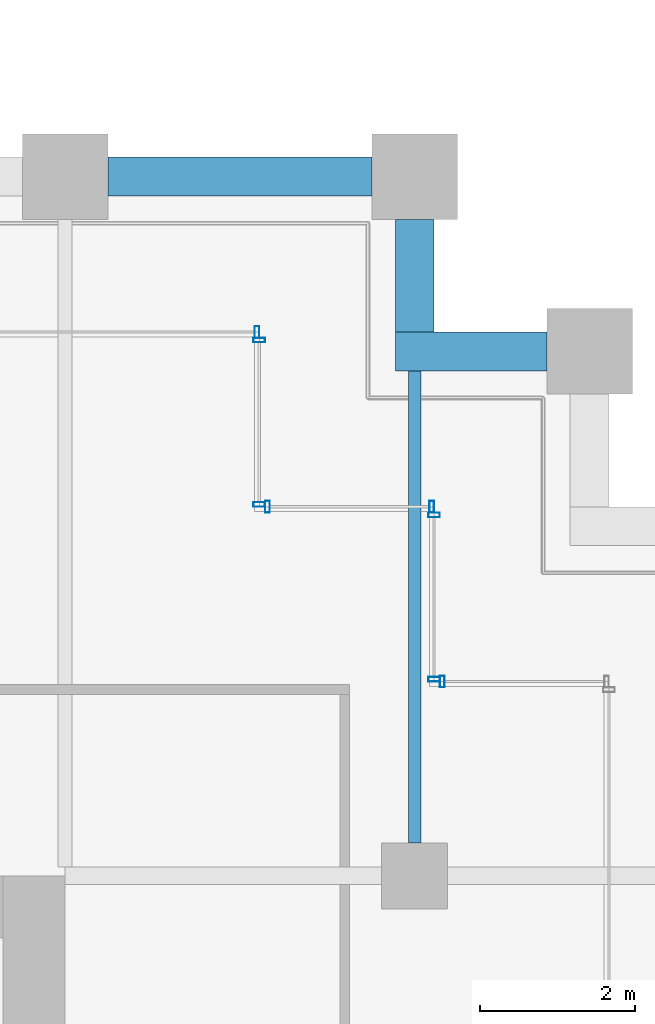
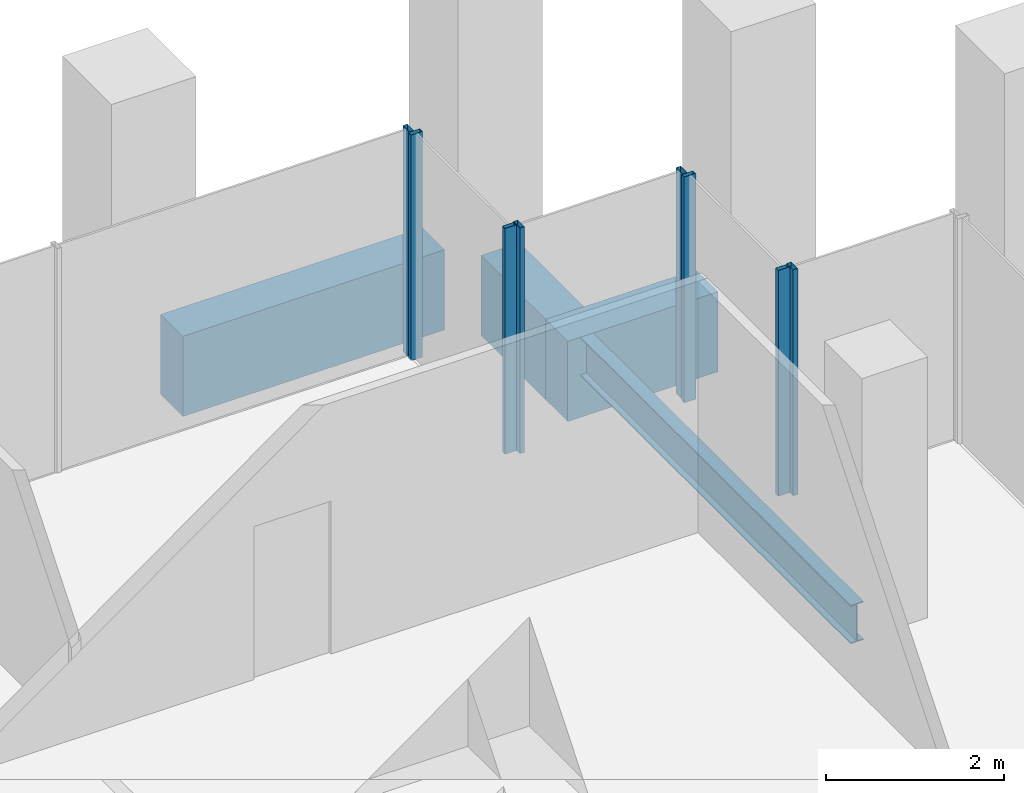
# One storey, part 45 of 56: 8 members, 4 beams, 5 elements without a shape of their own.
"""IFC4 building model written with IfcOpenShell, lengths in metres."""

from ifc_helpers import new_model, si_unit, direction, frame, origin, origin_2d, place, context, subcontext, project, spatial, rectangle, hollow_rectangle, i_section, extrude, material, material_profile, profile_set, type_object, element, aggregate, save


model = new_model("IFC4")

# Units and contexts
model_context = context("Model", 3, precision=1e-05, world=origin(), true_north=direction((0.0, 1.0)))
body_context = subcontext(model_context, "Body", "Model", "MODEL_VIEW")
ifc_project = project(units=[si_unit("LENGTHUNIT", "METRE"), si_unit("AREAUNIT", "SQUARE_METRE"), si_unit("VOLUMEUNIT", "CUBIC_METRE"), si_unit("PLANEANGLEUNIT", "RADIAN"), si_unit("MASSUNIT", "GRAM", prefix="KILO")], contexts=[model_context])

# Site, building, storey
site_placement = place(None, origin())
site = spatial("IfcSite", under=ifc_project, at=site_placement, CompositionType="ELEMENT")
building_placement = place(site_placement, origin())
building = spatial("IfcBuilding", under=site, at=building_placement, Name="Altepetl Exchange Towers", CompositionType="ELEMENT")
storey_placement = place(building_placement, frame((0.0, 0.0, 72.60009765625)))
storey = spatial("IfcBuildingStorey", under=building, at=storey_placement, Name="L17", CompositionType="ELEMENT", Elevation=72.60009765625)

# Beam
ifc_material_1 = material(Name="Steel S355", Category="steel")
ifc_material_profile_1 = material_profile(ifc_material_1, i_section(OverallWidth=0.166015625, OverallDepth=0.529052734375, WebThickness=0.009765625, FlangeThickness=0.013671875, at=origin_2d()), Name="W21X50")
ifc_profile_set_1 = profile_set([ifc_material_profile_1], Name="Steel S355")
beam_type_1 = type_object("IfcBeamType", Name="Floor beam W21X50", PredefinedType="BEAM", material=ifc_profile_set_1)
beam_1_placement = place(storey_placement, frame((121.5, 49.925048828125, -0.41455078125), z_axis=(0.0, 1.0, 0.0), x_axis=(-1.0, 0.0, 0.0)))
element("IfcBeam", 1, at=beam_1_placement, inside=storey, type_object=beam_type_1, Name="bm:B:L17:003", PredefinedType="BEAM", context=body_context, shape_type="SweptSolid", body=[
    extrude(i_section(OverallWidth=0.166015625, OverallDepth=0.529052734375, WebThickness=0.009765625, FlangeThickness=0.013671875, at=origin_2d()), origin(), (0.0, 0.0, 1.0), 6.074951171875),
])

# Curtain wall, member
ifc_material_2 = material(Name="Aluminium 6063-T6 glazing", Category="aluminium")
curtain_wall_type = type_object("IfcCurtainWallType", Name="Loggia glazing system", PredefinedType="NOTDEFINED", material=ifc_material_2)
curtain_wall_1_placement = place(storey_placement, origin())
curtain_wall_1 = element("IfcCurtainWall", 2, at=curtain_wall_1_placement, inside=storey, type_object=curtain_wall_type, Name="CW1 run", PredefinedType="NOTDEFINED")
ifc_material_3 = material(Name="Aluminium 6063-T6", Category="aluminium")
ifc_material_profile_2 = material_profile(ifc_material_3, hollow_rectangle(XDim=0.06005859375, YDim=0.14990234375, WallThickness=0.0029296875, at=origin_2d()), Name="Mullion 60x150 aluminium")
ifc_profile_set_2 = profile_set([ifc_material_profile_2], Name="Aluminium 6063-T6")
member_type = type_object("IfcMemberType", Name="Mullion 60x150 aluminium", PredefinedType="MULLION", material=ifc_profile_set_2)
member_1_placement = place(storey_placement, frame((121.85498046875, 52.0, 0.0), z_axis=(0.0, 0.0, 1.0), x_axis=(-1.0, 0.0, 0.0)))
member_1 = element("IfcMember", 3, at=member_1_placement, type_object=member_type, Name="MU1 mullion", PredefinedType="MULLION", context=body_context, shape_type="SweptSolid", body=[
    extrude(hollow_rectangle(XDim=0.06005859375, YDim=0.14990234375, WallThickness=0.0029296875, at=origin_2d()), origin(), (0.0, 0.0, 1.0), 3.099853515625),
])
aggregate(curtain_wall_1, [member_1])

# Curtain wall, members
curtain_wall_2_placement = place(storey_placement, origin())
curtain_wall_2 = element("IfcCurtainWall", 4, at=curtain_wall_2_placement, inside=storey, type_object=curtain_wall_type, Name="CW1 run", PredefinedType="NOTDEFINED")
member_2_placement = place(storey_placement, frame((121.75, 52.030029296875, 0.0), z_axis=(0.0, 0.0, 1.0), x_axis=(0.0, 1.0, 0.0)))
member_2 = element("IfcMember", 5, at=member_2_placement, type_object=member_type, Name="MU1 mullion", PredefinedType="MULLION", context=body_context, shape_type="SweptSolid", body=[
    extrude(hollow_rectangle(XDim=0.06005859375, YDim=0.14990234375, WallThickness=0.0029296875, at=origin_2d()), origin(), (0.0, 0.0, 1.0), 3.099853515625),
])
member_3_placement = place(storey_placement, frame((121.75, 54.14501953125, 0.0), z_axis=(0.0, 0.0, 1.0), x_axis=(0.0, 1.0, 0.0)))
member_3 = element("IfcMember", 6, at=member_3_placement, type_object=member_type, Name="MU1 mullion", PredefinedType="MULLION", context=body_context, shape_type="SweptSolid", body=[
    extrude(hollow_rectangle(XDim=0.06005859375, YDim=0.14990234375, WallThickness=0.0029296875, at=origin_2d()), origin(), (0.0, 0.0, 1.0), 3.099853515625),
])
aggregate(curtain_wall_2, [member_2, member_3])

curtain_wall_3_placement = place(storey_placement, origin())
curtain_wall_3 = element("IfcCurtainWall", 7, at=curtain_wall_3_placement, inside=storey, type_object=curtain_wall_type, Name="CW1 run", PredefinedType="NOTDEFINED")
member_4_placement = place(storey_placement, frame((121.719970703125, 54.25, 0.0), z_axis=(0.0, 0.0, 1.0), x_axis=(-1.0, 0.0, 0.0)))
member_4 = element("IfcMember", 8, at=member_4_placement, type_object=member_type, Name="MU1 mullion", PredefinedType="MULLION", context=body_context, shape_type="SweptSolid", body=[
    extrude(hollow_rectangle(XDim=0.06005859375, YDim=0.14990234375, WallThickness=0.0029296875, at=origin_2d()), origin(), (0.0, 0.0, 1.0), 3.099853515625),
])
member_5_placement = place(storey_placement, frame((119.60498046875, 54.25, 0.0), z_axis=(0.0, 0.0, 1.0), x_axis=(-1.0, 0.0, 0.0)))
member_5 = element("IfcMember", 9, at=member_5_placement, type_object=member_type, Name="MU1 mullion", PredefinedType="MULLION", context=body_context, shape_type="SweptSolid", body=[
    extrude(hollow_rectangle(XDim=0.06005859375, YDim=0.14990234375, WallThickness=0.0029296875, at=origin_2d()), origin(), (0.0, 0.0, 1.0), 3.099853515625),
])
aggregate(curtain_wall_3, [member_4, member_5])

curtain_wall_4_placement = place(storey_placement, origin())
curtain_wall_4 = element("IfcCurtainWall", 10, at=curtain_wall_4_placement, inside=storey, type_object=curtain_wall_type, Name="CW1 run", PredefinedType="NOTDEFINED")
member_6_placement = place(storey_placement, frame((119.5, 54.280029296875, 0.0), z_axis=(0.0, 0.0, 1.0), x_axis=(0.0, 1.0, 0.0)))
member_6 = element("IfcMember", 11, at=member_6_placement, type_object=member_type, Name="MU1 mullion", PredefinedType="MULLION", context=body_context, shape_type="SweptSolid", body=[
    extrude(hollow_rectangle(XDim=0.06005859375, YDim=0.14990234375, WallThickness=0.0029296875, at=origin_2d()), origin(), (0.0, 0.0, 1.0), 3.099853515625),
])
member_7_placement = place(storey_placement, frame((119.5, 56.39501953125, 0.0), z_axis=(0.0, 0.0, 1.0), x_axis=(0.0, 1.0, 0.0)))
member_7 = element("IfcMember", 12, at=member_7_placement, type_object=member_type, Name="MU1 mullion", PredefinedType="MULLION", context=body_context, shape_type="SweptSolid", body=[
    extrude(hollow_rectangle(XDim=0.06005859375, YDim=0.14990234375, WallThickness=0.0029296875, at=origin_2d()), origin(), (0.0, 0.0, 1.0), 3.099853515625),
])
aggregate(curtain_wall_4, [member_6, member_7])

# Curtain wall, member
curtain_wall_5_placement = place(storey_placement, origin())
curtain_wall_5 = element("IfcCurtainWall", 13, at=curtain_wall_5_placement, inside=storey, type_object=curtain_wall_type, Name="CW1 run", PredefinedType="NOTDEFINED")
member_8_placement = place(storey_placement, frame((119.469970703125, 56.5, 0.0), z_axis=(0.0, 0.0, 1.0), x_axis=(-1.0, 0.0, 0.0)))
member_8 = element("IfcMember", 14, at=member_8_placement, type_object=member_type, Name="MU1 mullion", PredefinedType="MULLION", context=body_context, shape_type="SweptSolid", body=[
    extrude(hollow_rectangle(XDim=0.06005859375, YDim=0.14990234375, WallThickness=0.0029296875, at=origin_2d()), origin(), (0.0, 0.0, 1.0), 3.099853515625),
])
aggregate(curtain_wall_5, [member_8])

# Beams
ifc_material_4 = material(Name="Concrete C50/60 precast with cantera amarilla facing", Category="concrete")
ifc_material_profile_3 = material_profile(ifc_material_4, rectangle(XDim=0.5, YDim=1.10009765625, at=origin_2d()), Name="500 x 1100")
ifc_profile_set_3 = profile_set([ifc_material_profile_3], Name="Concrete C50/60 precast with cantera amarilla facing")
beam_type_2 = type_object("IfcBeamType", Name="Spandrel beam 500x1100 cantera amarilla", PredefinedType="SPANDREL", material=ifc_profile_set_3)
beam_2_placement = place(storey_placement, frame((123.199951171875, 56.25, -0.7001953125), z_axis=(-1.0, 0.0, 0.0), x_axis=(0.0, -1.0, 0.0)))
element("IfcBeam", 15, at=beam_2_placement, inside=storey, type_object=beam_type_2, Name="sp:B:L17:016", PredefinedType="SPANDREL", context=body_context, shape_type="SweptSolid", body=[
    extrude(rectangle(XDim=0.5, YDim=1.10009765625, at=origin_2d()), origin(), (0.0, 0.0, 1.0), 1.949951171875),
])
beam_3_placement = place(storey_placement, frame((121.5, 56.5, -0.7001953125), z_axis=(0.0, 1.0, 0.0), x_axis=(-1.0, 0.0, 0.0)))
element("IfcBeam", 16, at=beam_3_placement, inside=storey, type_object=beam_type_2, Name="sp:B:L17:017", PredefinedType="SPANDREL", context=body_context, shape_type="SweptSolid", body=[
    extrude(rectangle(XDim=0.5, YDim=1.10009765625, at=origin_2d()), origin(), (0.0, 0.0, 1.0), 1.449951171875),
])
beam_4_placement = place(storey_placement, frame((120.949951171875, 58.5, -0.7001953125), z_axis=(-1.0, 0.0, 0.0), x_axis=(0.0, -1.0, 0.0)))
element("IfcBeam", 17, at=beam_4_placement, inside=storey, type_object=beam_type_2, Name="sp:B:L17:018", PredefinedType="SPANDREL", context=body_context, shape_type="SweptSolid", body=[
    extrude(rectangle(XDim=0.5, YDim=1.10009765625, at=origin_2d()), origin(), (0.0, 0.0, 1.0), 3.39990234375),
])

save(model, "model.ifc")
